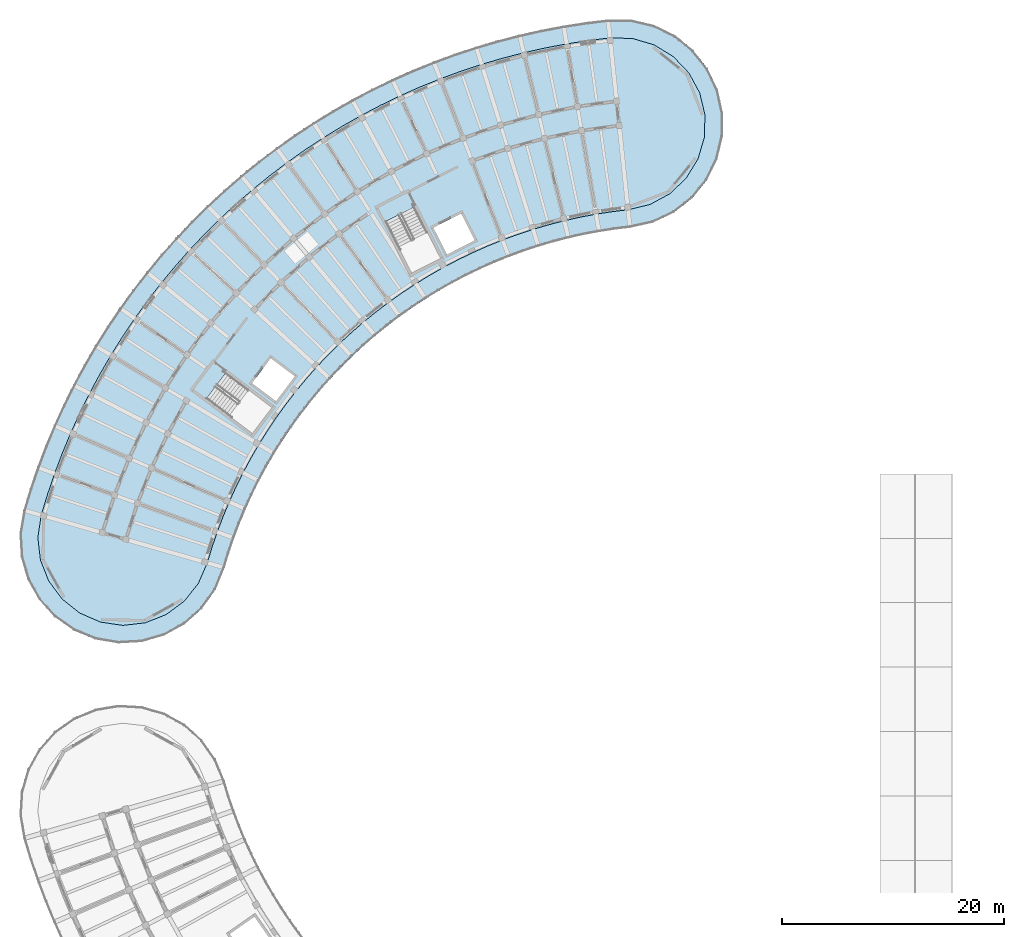
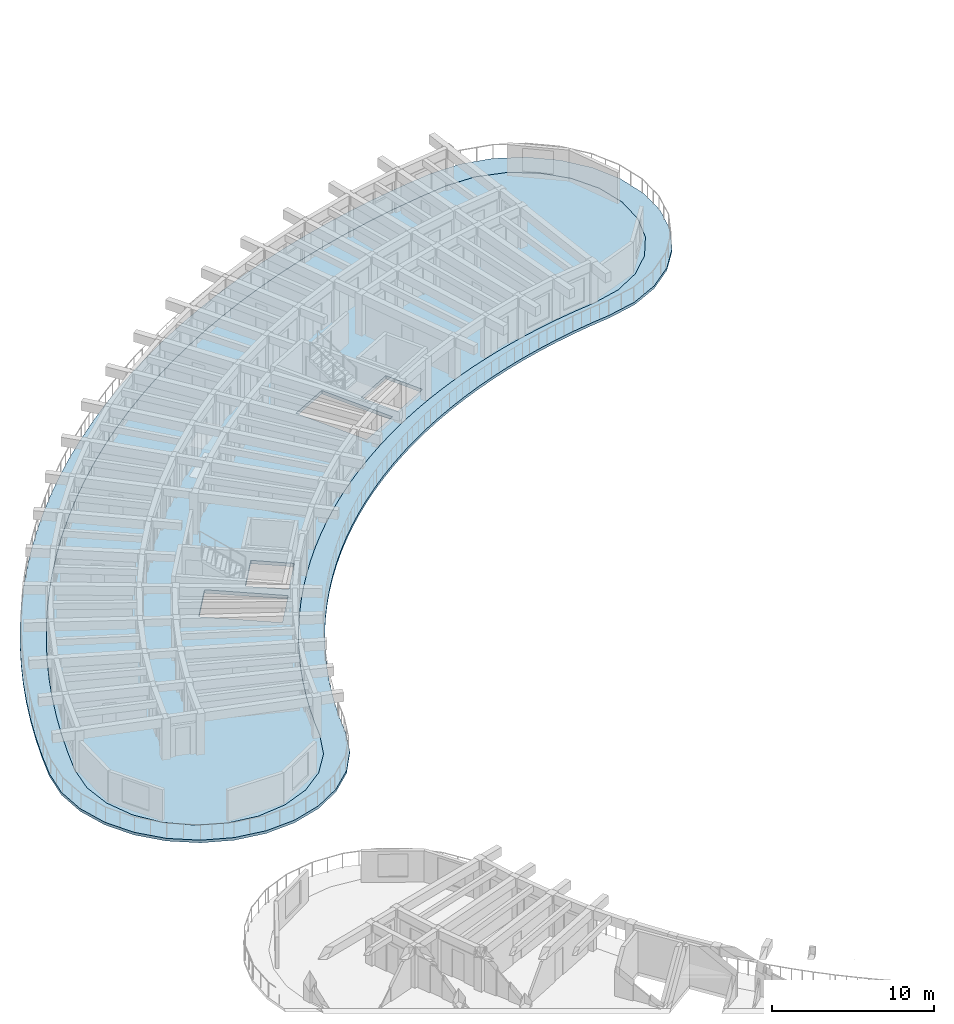
# One storey, part 47 of 96: 2 slabs.
"""IFC4 building model written with IfcOpenShell, lengths in metres."""

from ifc_helpers import new_model, si_unit, direction, frame, origin, place, context, subcontext, project, spatial, polyline, outline, extrude, material, layer, layer_set, type_object, element, save


model = new_model("IFC4")

# Units and contexts
model_context = context("Model", 3, precision=1e-05, world=origin(), true_north=direction((0.0, 1.0)))
body_context = subcontext(model_context, "Body", "Model", "MODEL_VIEW")
ifc_project = project(units=[si_unit("LENGTHUNIT", "METRE"), si_unit("AREAUNIT", "SQUARE_METRE"), si_unit("VOLUMEUNIT", "CUBIC_METRE"), si_unit("PLANEANGLEUNIT", "RADIAN"), si_unit("MASSUNIT", "GRAM", prefix="KILO")], contexts=[model_context])

# Site, building, storey
site_placement = place(None, origin())
site = spatial("IfcSite", under=ifc_project, at=site_placement, CompositionType="ELEMENT")
building_placement = place(site_placement, origin())
building = spatial("IfcBuilding", under=site, at=building_placement, Name="Tanwirah Colonnade Gardens", CompositionType="ELEMENT")
storey_placement = place(building_placement, frame((0.0, 0.0, 12.199951171875)))
storey = spatial("IfcBuildingStorey", under=building, at=storey_placement, Name="L03", CompositionType="ELEMENT", Elevation=12.199951171875)

# Slabs
ifc_material_1 = material(Name="White architectural precast concrete C40/50", Category="concrete")
ifc_layer_1 = layer(ifc_material_1, 0.199951171875)
ifc_layer_set_1 = layer_set([ifc_layer_1], Name="White architectural precast concrete C40/50")
slab_type_1 = type_object("IfcSlabType", Name="SL-BAL-200", PredefinedType="FLOOR", material=ifc_layer_set_1)
slab_1_placement = place(storey_placement, frame((0.0, 0.0, -0.199951171875)))
element("IfcSlab", 1, at=slab_1_placement, inside=storey, type_object=slab_type_1, Name="Block A L03 Continuous White Balcony Ribbon", PredefinedType="FLOOR", context=body_context, shape_type="SweptSolid", body=[
    extrude(outline(polyline([(62.602783203125, 103.019775390625), (64.505859375, 103.918701171875), (66.161376953125, 105.21875), (67.486083984375, 106.854736328125), (68.41357421875, 108.744140625), (68.897216796875, 110.792724609375), (68.9130859375, 112.897705078125), (68.4599609375, 114.953369140625), (67.560791015625, 116.8564453125), (66.2607421875, 118.511962890625), (64.625, 119.836669921875), (62.7353515625, 120.76416015625), (60.686767578125, 121.247802734375), (58.58203125, 121.263671875), (56.57275390625, 121.018798828125), (54.572509765625, 120.7080078125), (52.583740234375, 120.33154296875), (50.608642578125, 119.8896484375), (48.64892578125, 119.3828125), (46.70703125, 118.811767578125), (44.78515625, 118.1767578125), (42.885009765625, 117.47900390625), (41.009033203125, 116.718994140625), (39.1591796875, 115.8974609375), (37.33740234375, 115.015380859375), (35.545654296875, 114.073974609375), (33.785888671875, 113.07373046875), (32.06005859375, 112.01611328125), (30.3701171875, 110.90234375), (28.717529296875, 109.7333984375), (27.104736328125, 108.510498046875), (25.532958984375, 107.235107421875), (24.00390625, 105.90869140625), (22.51953125, 104.532470703125), (21.08154296875, 103.108154296875), (19.69091796875, 101.63720703125), (18.349853515625, 100.121337890625), (17.059326171875, 98.56201171875), (15.82080078125, 96.9609375), (14.6357421875, 95.320068359375), (13.505615234375, 93.640869140625), (12.431396484375, 91.92529296875), (11.414306640625, 90.17529296875), (10.455322265625, 88.392822265625), (9.5556640625, 86.57958984375), (8.71630859375, 84.73779296875), (7.93798828125, 82.869140625), (7.221923828125, 80.97607421875), (6.568359375, 79.060302734375), (5.978515625, 77.1240234375), (5.62841796875, 75.048583984375), (5.749267578125, 72.947021484375), (6.33447265625, 70.925048828125), (7.35498046875, 69.083984375), (8.759521484375, 67.516357421875), (10.477783203125, 66.30029296875), (12.42333984375, 65.497314453125), (14.4990234375, 65.147216796875), (16.6005859375, 65.267822265625), (18.62255859375, 65.853271484375), (20.46337890625, 66.873779296875), (22.03125, 68.2783203125), (23.2470703125, 69.996337890625), (24.05029296875, 71.942138671875), (24.45947265625, 73.28564453125), (24.912841796875, 74.61474609375), (25.409912109375, 75.92822265625), (25.94970703125, 77.224609375), (26.531982421875, 78.50244140625), (27.15625, 79.760498046875), (27.821533203125, 80.997314453125), (28.52734375, 82.21142578125), (29.272705078125, 83.401611328125), (30.056884765625, 84.566650390625), (30.87890625, 85.705078125), (31.73828125, 86.81591796875), (32.633544921875, 87.89794921875), (33.564208984375, 88.94970703125), (34.52880859375, 89.97021484375), (35.526611328125, 90.95849609375), (36.556396484375, 91.9130859375), (37.6171875, 92.83349609375), (38.707763671875, 93.71826171875), (39.826904296875, 94.566650390625), (40.973388671875, 95.3779296875), (42.14599609375, 96.150634765625), (43.34326171875, 96.884521484375), (44.564208984375, 97.578369140625), (45.807373046875, 98.231689453125), (47.0712890625, 98.843505859375), (48.354736328125, 99.41357421875), (49.656494140625, 99.94091796875), (50.974609375, 100.425048828125), (52.30810546875, 100.865478515625), (53.655517578125, 101.26171875), (55.01513671875, 101.61328125), (56.385498046875, 101.919921875), (57.765380859375, 102.18115234375), (59.153076171875, 102.396728515625), (60.547119140625, 102.566650390625), (62.602783203125, 103.019775390625)]), holes=[polyline([(62.3525390625, 104.652099609375), (60.376220703125, 104.177490234375), (58.930908203125, 104.00146484375), (58.930419921875, 104.00146484375), (57.490478515625, 103.777587890625), (57.489990234375, 103.777587890625), (56.058349609375, 103.506591796875), (56.0576171875, 103.50634765625), (54.6357421875, 103.188232421875), (54.635009765625, 103.18798828125), (53.224365234375, 102.8232421875), (53.2236328125, 102.822998046875), (51.825927734375, 102.411865234375), (51.8251953125, 102.411865234375), (50.441650390625, 101.954833984375), (50.44091796875, 101.95458984375), (49.0732421875, 101.4521484375), (49.07275390625, 101.451904296875), (47.72216796875, 100.90478515625), (47.7216796875, 100.904541015625), (46.389892578125, 100.313232421875), (46.38916015625, 100.31298828125), (45.077880859375, 99.677978515625), (45.0771484375, 99.677734375), (43.787353515625, 99.0), (43.786865234375, 98.99951171875), (42.52001953125, 98.279541015625), (42.51953125, 98.279296875), (41.277099609375, 97.51806640625), (41.276611328125, 97.517578125), (40.059814453125, 96.7158203125), (40.059326171875, 96.71533203125), (38.869873046875, 95.873779296875), (38.869384765625, 95.87353515625), (37.708251953125, 94.9931640625), (37.707763671875, 94.99267578125), (36.576171875, 94.07470703125), (36.57568359375, 94.07421875), (35.47509765625, 93.119384765625), (35.474609375, 93.118896484375), (34.406005859375, 92.12841796875), (34.405517578125, 92.1279296875), (33.370361328125, 91.1025390625), (33.369873046875, 91.10205078125), (32.368896484375, 90.043212890625), (32.368408203125, 90.042724609375), (31.40283203125, 88.951416015625), (31.402587890625, 88.950927734375), (30.473388671875, 87.828369140625), (30.47314453125, 87.827880859375), (29.58154296875, 86.67529296875), (29.581298828125, 86.6748046875), (28.728271484375, 85.493408203125), (28.727783203125, 85.492919921875), (27.9140625, 84.2841796875), (27.913818359375, 84.28369140625), (27.140380859375, 83.048828125), (27.14013671875, 83.048095703125), (26.407958984375, 81.788330078125), (26.40771484375, 81.787841796875), (25.71728515625, 80.504638671875), (25.717041015625, 80.504150390625), (25.0693359375, 79.19873046875), (25.069091796875, 79.1982421875), (24.46484375, 77.872314453125), (24.464599609375, 77.87158203125), (23.904296875, 76.526611328125), (23.904052734375, 76.52587890625), (23.388671875, 75.1630859375), (23.388427734375, 75.16259765625), (22.91796875, 73.783447265625), (22.917724609375, 73.78271484375), (22.493408203125, 72.39013671875), (21.68310546875, 70.526123046875), (20.418701171875, 68.936767578125), (18.7861328125, 67.728759765625), (16.896484375, 66.984375), (14.878662109375, 66.75439453125), (12.869873046875, 67.0546875), (11.007568359375, 67.864501953125), (9.41796875, 69.12890625), (8.2099609375, 70.761474609375), (7.465576171875, 72.651123046875), (7.23583984375, 74.6689453125), (7.5361328125, 76.6787109375), (8.110107421875, 78.562744140625), (8.746337890625, 80.427978515625), (9.443603515625, 82.271240234375), (10.201171875, 84.09033203125), (11.0185546875, 85.883544921875), (11.89453125, 87.64892578125), (12.828125, 89.384521484375), (13.818359375, 91.08837890625), (14.8642578125, 92.758544921875), (15.964599609375, 94.393310546875), (17.118408203125, 95.990966796875), (18.32421875, 97.5498046875), (19.58056640625, 99.068115234375), (20.886474609375, 100.5439453125), (22.240234375, 101.97607421875), (23.640380859375, 103.36279296875), (25.085693359375, 104.70263671875), (26.57421875, 105.994140625), (28.1044921875, 107.23583984375), (29.6748046875, 108.42626953125), (31.28369140625, 109.564453125), (32.92919921875, 110.649169921875), (34.609375, 111.6787109375), (36.32275390625, 112.652587890625), (38.067138671875, 113.5693359375), (39.841064453125, 114.427978515625), (41.64208984375, 115.227783203125), (43.468505859375, 115.9677734375), (45.318359375, 116.647216796875), (47.189697265625, 117.26513671875), (49.080322265625, 117.8212890625), (50.98828125, 118.314697265625), (52.911376953125, 118.744873046875), (54.84765625, 119.111572265625), (56.795166015625, 119.414306640625), (58.750244140625, 119.65234375), (60.781494140625, 119.59912109375), (62.728759765625, 119.0224609375), (64.46044921875, 117.961181640625), (65.858642578125, 116.488037109375), (66.82763671875, 114.703125), (67.3017578125, 112.728271484375), (67.24853515625, 110.697998046875), (66.671630859375, 108.750732421875), (65.610595703125, 107.01904296875), (64.137451171875, 105.62109375), (62.3525390625, 104.652099609375)])]), origin(), (0.0, 0.0, 1.0), 0.199951171875),
])
ifc_material_2 = material(Name="Precast concrete C40/50", Category="concrete")
ifc_layer_2 = layer(ifc_material_2, 0.2548828125)
ifc_layer_set_2 = layer_set([ifc_layer_2], Name="Precast concrete C40/50")
slab_type_2 = type_object("IfcSlabType", Name="SL-RES-255", PredefinedType="FLOOR", material=ifc_layer_set_2)
slab_2_placement = place(storey_placement, frame((0.0, 0.0, -0.2548828125)))
element("IfcSlab", 2, at=slab_2_placement, inside=storey, type_object=slab_type_2, Name="Block A L03 Precast Composite Floor Slab", PredefinedType="FLOOR", context=body_context, shape_type="SweptSolid", body=[
    extrude(outline(polyline([(57.49365234375, 103.758056640625), (58.933349609375, 103.981689453125), (60.3798828125, 104.157958984375), (62.35986328125, 104.63330078125), (64.149169921875, 105.604736328125), (65.626220703125, 107.00634765625), (66.690185546875, 108.74267578125), (67.2685546875, 110.695068359375), (67.32177734375, 112.73046875), (66.846435546875, 114.71044921875), (65.874755859375, 116.499755859375), (64.47314453125, 117.976806640625), (62.737060546875, 119.040771484375), (60.78466796875, 119.619140625), (58.749267578125, 119.67236328125), (56.792236328125, 119.43408203125), (54.84423828125, 119.13134765625), (52.907470703125, 118.7646484375), (50.983642578125, 118.334228515625), (49.074951171875, 117.840576171875), (47.183837890625, 117.284423828125), (45.311767578125, 116.666015625), (43.46142578125, 115.986328125), (41.63427734375, 115.24609375), (39.83251953125, 114.446044921875), (38.05810546875, 113.587158203125), (36.313232421875, 112.669921875), (34.599365234375, 111.696044921875), (32.91845703125, 110.666015625), (31.2724609375, 109.5810546875), (29.6630859375, 108.442626953125), (28.092041015625, 107.25146484375), (26.561279296875, 106.009521484375), (25.072265625, 104.717529296875), (23.62646484375, 103.377197265625), (22.225830078125, 101.990234375), (20.87158203125, 100.5576171875), (19.5654296875, 99.0810546875), (18.30859375, 97.562255859375), (17.102294921875, 96.0029296875), (15.9482421875, 94.40478515625), (14.847412109375, 92.76953125), (13.80126953125, 91.0986328125), (12.810546875, 89.394287109375), (11.876708984375, 87.658203125), (11.00048828125, 85.892333984375), (10.182861328125, 84.098388671875), (9.425048828125, 82.278564453125), (8.7275390625, 80.434814453125), (8.091064453125, 78.56884765625), (7.5166015625, 76.68310546875), (7.215576171875, 74.669189453125), (7.446044921875, 72.646240234375), (8.1923828125, 70.751708984375), (9.403564453125, 69.11474609375), (10.9970703125, 67.84716796875), (12.864501953125, 67.035400390625), (14.878173828125, 66.734375), (16.9013671875, 66.96484375), (18.7958984375, 67.711181640625), (20.4326171875, 68.92236328125), (21.7001953125, 70.515869140625), (22.51220703125, 72.383056640625), (22.93701171875, 73.777099609375), (23.4072265625, 75.156005859375), (23.9228515625, 76.518798828125), (24.483154296875, 77.864013671875), (25.08740234375, 79.18994140625), (25.73486328125, 80.4951171875), (26.42529296875, 81.7783203125), (27.157470703125, 83.0380859375), (27.9306640625, 84.27294921875), (28.744384765625, 85.48193359375), (29.597412109375, 86.6630859375), (30.489013671875, 87.815673828125), (31.41796875, 88.938232421875), (32.38330078125, 90.029541015625), (33.38427734375, 91.08837890625), (34.419677734375, 92.11376953125), (35.48828125, 93.104248046875), (36.5888671875, 94.05908203125), (37.72021484375, 94.977294921875), (38.88134765625, 95.857421875), (40.07080078125, 96.698974609375), (41.28759765625, 97.5009765625), (42.52978515625, 98.26220703125), (43.796630859375, 98.982177734375), (45.08642578125, 99.659912109375), (46.39794921875, 100.294921875), (47.729736328125, 100.88623046875), (49.080078125, 101.433349609375), (50.447998046875, 101.935791015625), (51.83154296875, 102.392822265625), (53.229248046875, 102.803955078125), (54.64013671875, 103.168701171875), (56.06201171875, 103.48681640625), (57.49365234375, 103.758056640625)]), holes=[polyline([(41.13427734375, 104.433349609375), (43.49365234375, 99.802734375), (40.897216796875, 98.479736328125), (38.537841796875, 103.1103515625), (41.13427734375, 104.433349609375)]), polyline([(46.574462890625, 101.428466796875), (44.07958984375, 100.157470703125), (42.853759765625, 102.563232421875), (45.3486328125, 103.834228515625), (46.574462890625, 101.428466796875)]), polyline([(26.555908203125, 84.039794921875), (22.4052734375, 87.16748046875), (24.158935546875, 89.49462890625), (28.3095703125, 86.366943359375), (26.555908203125, 84.039794921875)]), polyline([(26.5244140625, 88.5673828125), (28.20947265625, 90.8037109375), (30.36572265625, 89.1787109375), (28.6806640625, 86.942626953125), (26.5244140625, 88.5673828125)])]), origin(), (0.0, 0.0, 1.0), 0.2548828125),
])

save(model, "model.ifc")
